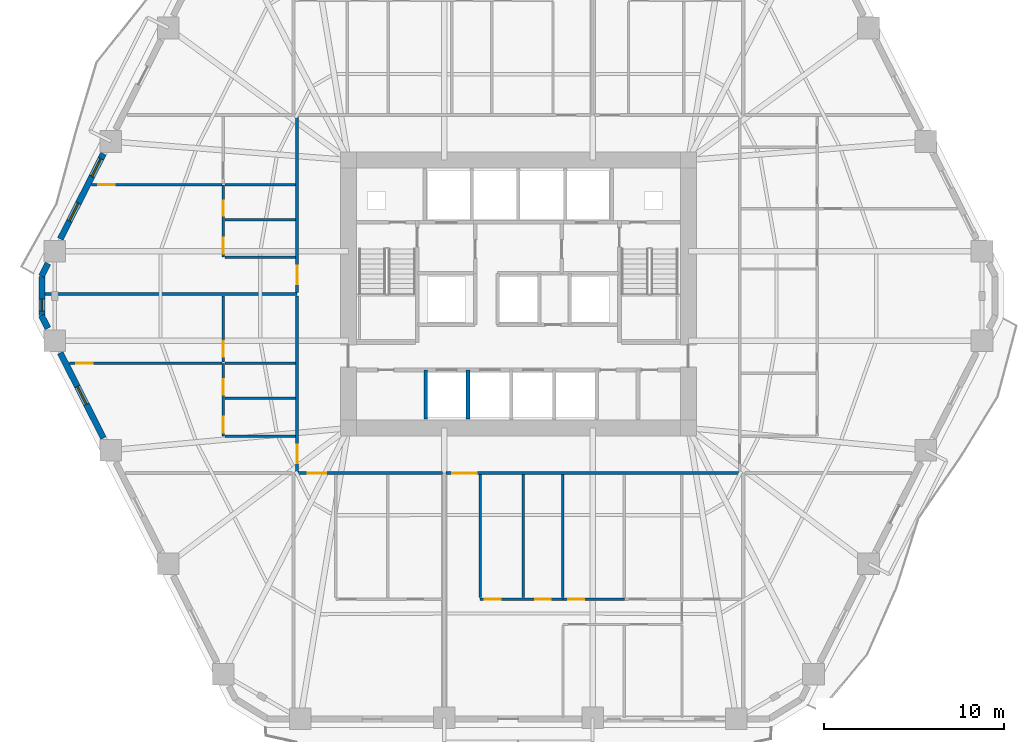
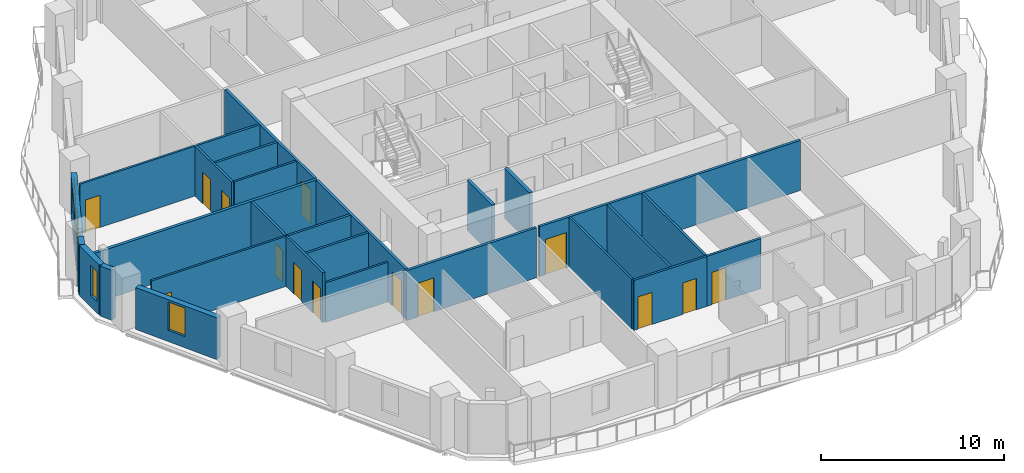
# One storey, part 4 of 12: 28 walls, 14 doors, 4 windows, 18 openings.
"""IFC4 building model written with IfcOpenShell, lengths in metres."""

import ifcopenshell
import ifcopenshell.guid

model = None  # the IFC model being written
_history = None  # IfcOwnerHistory: only IFC2X3 demands one
_inside = {}  # id of a spatial element -> (the spatial element, [elements in it])
_under = {}  # id of a project, library or spatial element -> (it, [spatial elements below it])
_declared = {}  # id of a project -> (the project, [libraries it declares])
_typed = {}  # id of a type object -> (the type object, [elements of that type])
_made_of = {}  # id of a material, layer set ... -> (it, [elements and type objects made of it])


def new_model(schema):
    """Start an empty IFC model of exactly this schema.

    Asked for "IFC4X3", IfcOpenShell would pick the latest addendum, in which some entities
    have other attributes; the version numbers below select the first issue.
    IFC2X3 requires an IfcOwnerHistory on every rooted entity: one is made here for all.
    """
    global model, _history
    if schema == "IFC4X3":
        model = ifcopenshell.file(schema_version=(4, 3, 0, 0))
    else:
        model = ifcopenshell.file(schema=schema)
    _inside.clear()
    _under.clear()
    _declared.clear()
    _typed.clear()
    _made_of.clear()
    _history = None
    if model.schema == "IFC2X3":
        org = make("IfcOrganization", Name="unknown")
        user = make(
            "IfcPersonAndOrganization",
            ThePerson=make("IfcPerson", FamilyName="unknown"),
            TheOrganization=org,
        )
        app = make(
            "IfcApplication",
            ApplicationDeveloper=org,
            Version="unknown",
            ApplicationFullName="unknown",
            ApplicationIdentifier="unknown",
        )
        _history = make(
            "IfcOwnerHistory",
            OwningUser=user,
            OwningApplication=app,
            ChangeAction="ADDED",
            CreationDate=0,
        )
    return model


def make(cls, **values):
    """One entity of the class cls with the attributes given. An attribute that is None is left unset."""
    return model.create_entity(
        cls, **{name: value for name, value in values.items() if value is not None}
    )


def rooted(cls, **values):
    """An entity with a GlobalId (a new one), such as an element, a storey or a relation."""
    return make(cls, GlobalId=ifcopenshell.guid.new(), OwnerHistory=_history, **values)


def si_unit(unit_type, name, prefix=None):
    """IfcSIUnit, for example si_unit("LENGTHUNIT", "METRE", prefix="MILLI")."""
    return make("IfcSIUnit", UnitType=unit_type, Prefix=prefix, Name=name)


def assignment(units):
    """IfcUnitAssignment: the units of a project."""
    return None if units is None else make("IfcUnitAssignment", Units=units)


def point(xyz):
    """IfcCartesianPoint."""
    return None if xyz is None else make("IfcCartesianPoint", Coordinates=xyz)


def direction(xyz):
    """IfcDirection."""
    return None if xyz is None else make("IfcDirection", DirectionRatios=xyz)


def frame(location, z_axis=None, x_axis=None):
    """IfcAxis2Placement3D, a coordinate frame: its origin and axes. An axis left out is left unset."""
    return make(
        "IfcAxis2Placement3D",
        Location=point(location),
        Axis=direction(z_axis),
        RefDirection=direction(x_axis),
    )


def frame_2d(location, x_axis=None):
    """IfcAxis2Placement2D, a coordinate frame in the plane: its origin and x axis."""
    return make(
        "IfcAxis2Placement2D", Location=point(location), RefDirection=direction(x_axis)
    )


def origin():
    """The frame at (0, 0, 0) with its axes left unset."""
    return frame((0.0, 0.0, 0.0))


def place(relative_to, where):
    """IfcLocalPlacement: puts the frame where relative to a parent placement (None: the world)."""
    return make(
        "IfcLocalPlacement", PlacementRelTo=relative_to, RelativePlacement=where
    )


def context(
    kind, dimensions, precision=None, world=None, true_north=None, identifier=None
):
    """IfcGeometricRepresentationContext, for example the 3D "Model" context."""
    return make(
        "IfcGeometricRepresentationContext",
        ContextIdentifier=identifier,
        ContextType=kind,
        CoordinateSpaceDimension=dimensions,
        Precision=precision,
        WorldCoordinateSystem=world,
        TrueNorth=true_north,
    )


def subcontext(parent, identifier, kind, view, scale=None):
    """IfcGeometricRepresentationSubContext, for example "Body" below "Model"."""
    return make(
        "IfcGeometricRepresentationSubContext",
        ContextIdentifier=identifier,
        ContextType=kind,
        ParentContext=parent,
        TargetScale=scale,
        TargetView=view,
    )


def project(units=None, contexts=None):
    """IfcProject with its units and contexts."""
    return rooted(
        "IfcProject",
        Name="project",
        RepresentationContexts=contexts,
        UnitsInContext=assignment(units),
    )


def spatial(cls, under=None, at=None, **own):
    """A site, building, storey or space (cls), placed at a placement, below another one or the project."""
    s = rooted(cls, ObjectPlacement=at, **own)
    if under is not None:
        _under.setdefault(under.id(), (under, []))[1].append(s)
    return s


def profile(cls, at=None, kind="AREA", **sizes):
    """A parametric profile (cls). Its sizes go by their IFC names, for example OverallWidth=200.0."""
    return make(cls, ProfileType=kind, Position=at, **sizes)


def rectangle(**sizes):
    """IfcRectangleProfileDef."""
    return profile("IfcRectangleProfileDef", **sizes)


def extrude(swept, where, along, depth):
    """IfcExtrudedAreaSolid: the profile swept, set in the frame where, extruded along a direction by depth."""
    return make(
        "IfcExtrudedAreaSolid",
        SweptArea=swept,
        Position=where,
        ExtrudedDirection=direction(along),
        Depth=depth,
    )


def shape(context_of_items, identifier, shape_type, items):
    """IfcShapeRepresentation: the items that make up one representation, for example the "Body"."""
    return make(
        "IfcShapeRepresentation",
        ContextOfItems=context_of_items,
        RepresentationIdentifier=identifier,
        RepresentationType=shape_type,
        Items=items,
    )


def material(Name=None, Category=None):
    """IfcMaterial."""
    return make("IfcMaterial", Name=Name, Category=Category)


def layer(
    of_material, thickness, ventilated=None, Name=None, Category=None, Priority=None
):
    """IfcMaterialLayer: one layer of a wall or slab, of a material (None: an air gap)."""
    return make(
        "IfcMaterialLayer",
        Material=of_material,
        LayerThickness=thickness,
        IsVentilated=ventilated,
        Name=Name,
        Category=Category,
        Priority=Priority,
    )


def layer_set(layers, Name=None):
    """IfcMaterialLayerSet."""
    return make("IfcMaterialLayerSet", MaterialLayers=layers, LayerSetName=Name)


def made_of(thing, what):
    """Note that an element or type object is made of a material, layer set ...; save() writes the relation."""
    if what is not None:
        _made_of.setdefault(what.id(), (what, []))[1].append(thing)
    return thing


def type_object(cls, material=None, **own):
    """A type object (cls), such as IfcWallType, which elements share."""
    return made_of(rooted(cls, **own), material)


def element(
    cls,
    number,
    at=None,
    inside=None,
    cuts=None,
    type_object=None,
    material=None,
    context=None,
    identifier="Body",
    shape_type=None,
    held_by="IfcProductDefinitionShape",
    body=None,
    shapes=None,
    **own,
):
    """One element of the class cls, such as IfcWall. Its Tag is "e" and its number.

    at: its placement. inside: the storey or other place that contains it. cuts: it is an
    opening in that element (IfcRelVoidsElement). A single representation is given by context,
    identifier, shape_type and body (its items); several are given by shapes. held_by: the class
    of the entity that holds the representations. save() writes the other relations.
    """
    e = rooted(cls, Tag="e%d" % number, ObjectPlacement=at, **own)
    if body is not None:
        shapes = [shape(context, identifier, shape_type, body)]
    if shapes is not None:
        e.Representation = make(held_by, Representations=shapes)
    if inside is not None:
        _inside.setdefault(inside.id(), (inside, []))[1].append(e)
    if cuts is not None:
        rooted(
            "IfcRelVoidsElement", RelatingBuildingElement=cuts, RelatedOpeningElement=e
        )
    if type_object is not None:
        _typed.setdefault(type_object.id(), (type_object, []))[1].append(e)
    return made_of(e, material)


def fill(opening, filler):
    """IfcRelFillsElement: the door or window that sits in an opening."""
    return rooted(
        "IfcRelFillsElement",
        RelatingOpeningElement=opening,
        RelatedBuildingElement=filler,
    )


def aggregate(whole, parts):
    """IfcRelAggregates: a whole, such as a stair, and the parts it consists of."""
    return rooted("IfcRelAggregates", RelatingObject=whole, RelatedObjects=parts)


def save(model, path):
    """Write the relations noted so far, then the file.

    IfcRelAggregates (storeys below a building ...), IfcRelContainedInSpatialStructure (elements
    in a storey), IfcRelDefinesByType, IfcRelAssociatesMaterial and IfcRelDeclares: one each for
    every whole, place, type object, material and project.
    """
    for whole, parts in _under.values():
        aggregate(whole, parts)
    for where, things in _inside.values():
        rooted(
            "IfcRelContainedInSpatialStructure",
            RelatedElements=things,
            RelatingStructure=where,
        )
    for kind, things in _typed.values():
        rooted("IfcRelDefinesByType", RelatedObjects=things, RelatingType=kind)
    for what, things in _made_of.values():
        rooted("IfcRelAssociatesMaterial", RelatedObjects=things, RelatingMaterial=what)
    for by, libraries in _declared.values():
        rooted("IfcRelDeclares", RelatingContext=by, RelatedDefinitions=libraries)
    model.write(path)


model = new_model("IFC4")

# Units and contexts
model_context = context("Model", 3, precision=1e-05, world=origin(), true_north=direction((0.0, 1.0)))
body_context = subcontext(model_context, "Body", "Model", "MODEL_VIEW")
ifc_project = project(units=[si_unit("LENGTHUNIT", "METRE"), si_unit("AREAUNIT", "SQUARE_METRE"), si_unit("VOLUMEUNIT", "CUBIC_METRE"), si_unit("PLANEANGLEUNIT", "RADIAN"), si_unit("MASSUNIT", "GRAM", prefix="KILO")], contexts=[model_context])

# Site, building, storey
site_placement = place(None, origin())
site = spatial("IfcSite", under=ifc_project, at=site_placement, CompositionType="ELEMENT")
building_placement = place(site_placement, origin())
building = spatial("IfcBuilding", under=site, at=building_placement, Name="Cinnabar Lancet Tower", CompositionType="ELEMENT")
storey_placement = place(building_placement, frame((0.0, 0.0, 32.0)))
storey = spatial("IfcBuildingStorey", under=building, at=storey_placement, Name="L07", CompositionType="ELEMENT", Elevation=32.0)

# Wall, opening, door
ifc_material_1 = material(Name="Acoustic twin-stud gypsum partition", Category="gypsum")
ifc_layer_1 = layer(ifc_material_1, 0.159912109375)
ifc_layer_set_1 = layer_set([ifc_layer_1], Name="Acoustic twin-stud gypsum partition")
wall_type_1 = type_object("IfcWallType", Name="ARC-WL-CORR-160", PredefinedType="PARTITIONING", material=ifc_layer_set_1)
wall_1_placement = place(storey_placement, frame((19.9951171875, 15.949951171875, 0.0), z_axis=(0.0, 0.0, 1.0), x_axis=(1.0, 0.0, 0.0)))
wall_1 = element("IfcWall", 1, at=wall_1_placement, inside=storey, type_object=wall_type_1, Name="L07 Unit S01 Corridor Wall", PredefinedType="PARTITIONING", context=body_context, shape_type="SweptSolid", body=[
    extrude(rectangle(XDim=8.18798828125, YDim=0.159912109375, at=frame_2d((4.093994140625, 0.0))), origin(), (0.0, 0.0, 1.0), 3.330078125),
])
opening_1_placement = place(wall_1_placement, frame((0.705078125, 0.0, 0.0)))
opening_1 = element("IfcOpeningElement", 2, at=opening_1_placement, cuts=wall_1, Name="Opening UD-01", PredefinedType="OPENING", context=body_context, shape_type="SweptSolid", body=[
    extrude(rectangle(XDim=1.02001953125, YDim=2.25, at=frame_2d((0.510009765625, 1.125))), frame((0.0, 0.08984375, 0.0), z_axis=(0.0, -1.0, 0.0), x_axis=(1.0, 0.0, 0.0)), (0.0, 0.0, 1.0), 0.179931640625),
])
ifc_material_2 = material(Name="Solid timber fire-rated apartment entrance door", Category="wood")
door_type_1 = type_object("IfcDoorType", Name="ARC-DR-UNIT", OperationType="NOTDEFINED", PredefinedType="DOOR", material=ifc_material_2)
door_1_placement = place(opening_1_placement, origin())
door_1 = element("IfcDoor", 3, at=door_1_placement, inside=storey, type_object=door_type_1, Name="DR-L07-S01-ENT", OperationType="SINGLE_SWING_RIGHT", OverallHeight=2.25, OverallWidth=1.02001953125, PredefinedType="DOOR", context=body_context, shape_type="SweptSolid", body=[
    extrude(rectangle(XDim=1.02001953125, YDim=2.25, at=frame_2d((0.510009765625, 1.125))), frame((0.0, 0.02490234375, 0.0), z_axis=(0.0, -1.0, 0.0), x_axis=(1.0, 0.0, 0.0)), (0.0, 0.0, 1.0), 0.050048828125),
])
fill(opening_1, door_1)

wall_2_placement = place(storey_placement, frame((28.373046875, 15.949951171875, 0.0), z_axis=(0.0, 0.0, 1.0), x_axis=(1.0, 0.0, 0.0)))
wall_2 = element("IfcWall", 4, at=wall_2_placement, inside=storey, type_object=wall_type_1, Name="L07 Unit S02 Corridor Wall", PredefinedType="PARTITIONING", context=body_context, shape_type="SweptSolid", body=[
    extrude(rectangle(XDim=16.431884765625, YDim=0.159912109375, at=frame_2d((8.2158203125, 0.0))), origin(), (0.0, 0.0, 1.0), 3.330078125),
])
opening_2_placement = place(wall_2_placement, frame((0.35498046875, 0.0, 0.0)))
opening_2 = element("IfcOpeningElement", 5, at=opening_2_placement, cuts=wall_2, Name="Opening UD-02", PredefinedType="OPENING", context=body_context, shape_type="SweptSolid", body=[
    extrude(rectangle(XDim=1.35009765625, YDim=2.35009765625, at=frame_2d((0.675048828125, 1.175048828125))), frame((0.0, 0.08984375, 0.0), z_axis=(0.0, -1.0, 0.0), x_axis=(1.0, 0.0, 0.0)), (0.0, 0.0, 1.0), 0.179931640625),
])
ifc_material_3 = material(Name="Double-leaf solid timber penthouse entrance door", Category="wood")
door_type_2 = type_object("IfcDoorType", Name="ARC-DR-UNIT-PH", OperationType="NOTDEFINED", PredefinedType="DOOR", material=ifc_material_3)
door_2_placement = place(opening_2_placement, origin())
door_2 = element("IfcDoor", 6, at=door_2_placement, inside=storey, type_object=door_type_2, Name="DR-L07-S02-ENT", OperationType="SINGLE_SWING_LEFT", OverallHeight=2.35009765625, OverallWidth=1.35009765625, PredefinedType="DOOR", context=body_context, shape_type="SweptSolid", body=[
    extrude(rectangle(XDim=1.35009765625, YDim=2.35009765625, at=frame_2d((0.675048828125, 1.175048828125))), frame((0.0, 0.02490234375, 0.0), z_axis=(0.0, -1.0, 0.0), x_axis=(1.0, 0.0, 0.0)), (0.0, 0.0, 1.0), 0.050048828125),
])
fill(opening_2, door_2)

wall_3_placement = place(storey_placement, frame((20.10009765625, 16.044921875, 0.0), z_axis=(0.0, 0.0, 1.0), x_axis=(0.0, 1.0, 0.0)))
wall_3 = element("IfcWall", 7, at=wall_3_placement, inside=storey, type_object=wall_type_1, Name="UW-L07-W01-COR", PredefinedType="PARTITIONING", context=body_context, shape_type="SweptSolid", body=[
    extrude(rectangle(XDim=9.760009765625, YDim=0.159912109375, at=frame_2d((4.8798828125, 0.0))), origin(), (0.0, 0.0, 1.0), 3.330078125),
])
opening_3_placement = place(wall_3_placement, frame((0.449951171875, 0.0, 0.0)))
opening_3 = element("IfcOpeningElement", 8, at=opening_3_placement, cuts=wall_3, Name="Opening UD-01", PredefinedType="OPENING", context=body_context, shape_type="SweptSolid", body=[
    extrude(rectangle(XDim=1.02001953125, YDim=2.25, at=frame_2d((0.510009765625, 1.125))), frame((0.0, 0.08984375, 0.0), z_axis=(0.0, -1.0, 0.0), x_axis=(1.0, 0.0, 0.0)), (0.0, 0.0, 1.0), 0.179931640625),
])
door_3_placement = place(opening_3_placement, origin())
door_3 = element("IfcDoor", 9, at=door_3_placement, inside=storey, type_object=door_type_1, Name="DR-L07-W01-ENT", OperationType="SINGLE_SWING_RIGHT", OverallHeight=2.25, OverallWidth=1.02001953125, PredefinedType="DOOR", context=body_context, shape_type="SweptSolid", body=[
    extrude(rectangle(XDim=1.02001953125, YDim=2.25, at=frame_2d((0.510009765625, 1.125))), frame((0.0, 0.02490234375, 0.0), z_axis=(0.0, -1.0, 0.0), x_axis=(1.0, 0.0, 0.0)), (0.0, 0.0, 1.0), 0.050048828125),
])
fill(opening_3, door_3)

wall_4_placement = place(storey_placement, frame((20.10009765625, 25.9951171875, 0.0), z_axis=(0.0, 0.0, 1.0), x_axis=(0.0, 1.0, 0.0)))
wall_4 = element("IfcWall", 10, at=wall_4_placement, inside=storey, type_object=wall_type_1, Name="UW-L07-W02-COR", PredefinedType="PARTITIONING", context=body_context, shape_type="SweptSolid", body=[
    extrude(rectangle(XDim=9.759765625, YDim=0.159912109375, at=frame_2d((4.8798828125, 0.0))), origin(), (0.0, 0.0, 1.0), 3.330078125),
])
opening_4_placement = place(wall_4_placement, frame((0.449951171875, 0.0, 0.0)))
opening_4 = element("IfcOpeningElement", 11, at=opening_4_placement, cuts=wall_4, Name="Opening UD-01", PredefinedType="OPENING", context=body_context, shape_type="SweptSolid", body=[
    extrude(rectangle(XDim=1.02001953125, YDim=2.25, at=frame_2d((0.510009765625, 1.125))), frame((0.0, 0.08984375, 0.0), z_axis=(0.0, -1.0, 0.0), x_axis=(1.0, 0.0, 0.0)), (0.0, 0.0, 1.0), 0.179931640625),
])
door_4_placement = place(opening_4_placement, origin())
door_4 = element("IfcDoor", 12, at=door_4_placement, inside=storey, type_object=door_type_1, Name="DR-L07-W02-ENT", OperationType="SINGLE_SWING_LEFT", OverallHeight=2.25, OverallWidth=1.02001953125, PredefinedType="DOOR", context=body_context, shape_type="SweptSolid", body=[
    extrude(rectangle(XDim=1.02001953125, YDim=2.25, at=frame_2d((0.510009765625, 1.125))), frame((0.0, 0.02490234375, 0.0), z_axis=(0.0, -1.0, 0.0), x_axis=(1.0, 0.0, 0.0)), (0.0, 0.0, 1.0), 0.050048828125),
])
fill(opening_4, door_4)

# Walls
ifc_material_4 = material(Name="Fire-rated twin-frame acoustic drywall", Category="gypsum")
ifc_layer_2 = layer(ifc_material_4, 0.179931640625)
ifc_layer_set_2 = layer_set([ifc_layer_2], Name="Fire-rated twin-frame acoustic drywall")
wall_type_2 = type_object("IfcWallType", Name="ARC-WL-PARTY-180", PredefinedType="PARTITIONING", material=ifc_layer_set_2)
wall_5_placement = place(storey_placement, frame((6.0869140625, 25.89990234375, 0.0), z_axis=(0.0, 0.0, 1.0), x_axis=(1.0, 0.0, 0.0)))
element("IfcWall", 13, at=wall_5_placement, inside=storey, type_object=wall_type_2, Name="PW-L07-WPTY-1", PredefinedType="PARTITIONING", context=body_context, shape_type="SweptSolid", body=[
    extrude(rectangle(XDim=14.01318359375, YDim=0.179931640625, at=frame_2d((7.006591796875, 0.0))), origin(), (0.0, 0.0, 1.0), 3.330078125),
])
ifc_material_5 = material(Name="Autoclaved aerated concrete blockwork", Category="masonry")
ifc_layer_3 = layer(ifc_material_5, 0.199951171875)
ifc_layer_set_3 = layer_set([ifc_layer_3], Name="Autoclaved aerated concrete blockwork")
wall_type_3 = type_object("IfcWallType", Name="ARC-WL-SHAFT-200", PredefinedType="PLUMBINGWALL", material=ifc_layer_set_3)
for number, where, z_axis, x_axis, name in (
    (14, (27.25, 18.949951171875, 0.0), (0.0, 0.0, 1.0), (0.0, 1.0, 0.0), "CW-SB-2725-L07"),
    (15, (29.60009765625, 18.949951171875, 0.0), (0.0, 0.0, 1.0), (0.0, 1.0, 0.0), "CW-SB-2960-L07"),
):
    element("IfcWall", number, at=place(storey_placement, frame(where, z_axis=z_axis, x_axis=x_axis)), inside=storey, type_object=wall_type_3, Name=name, PredefinedType="PLUMBINGWALL", context=body_context, shape_type="SweptSolid", body=[
        extrude(rectangle(XDim=2.72998046875, YDim=0.199951171875, at=frame_2d((1.364990234375, 0.0))), origin(), (0.0, 0.0, 1.0), 3.330078125),
    ])
ifc_material_6 = material(Name="Gypsum plasterboard stud partition", Category="gypsum")
ifc_layer_4 = layer(ifc_material_6, 0.125)
ifc_layer_set_4 = layer_set([ifc_layer_4], Name="Gypsum plasterboard stud partition")
wall_type_4 = type_object("IfcWallType", Name="ARC-WL-UNIT-125", PredefinedType="PARTITIONING", material=ifc_layer_set_4)
wall_6_placement = place(storey_placement, frame((30.278076171875, 9.0380859375, 0.0), z_axis=(0.0, 0.0, 1.0), x_axis=(0.0, 1.0, 0.0)))
element("IfcWall", 16, at=wall_6_placement, inside=storey, type_object=wall_type_4, Name="UW-L07-S02-FOYE", PredefinedType="PARTITIONING", context=body_context, shape_type="SweptSolid", body=[
    extrude(rectangle(XDim=6.826904296875, YDim=0.125, at=frame_2d((3.41357421875, 0.0))), origin(), (0.0, 0.0, 1.0), 3.330078125),
])
wall_7_placement = place(storey_placement, frame((16.0849609375, 18.0, 0.0), z_axis=(0.0, 0.0, 1.0), x_axis=(1.0, 0.0, 0.0)))
element("IfcWall", 17, at=wall_7_placement, inside=storey, type_object=wall_type_4, Name="UW-L07-W01-FOYN", PredefinedType="PARTITIONING", context=body_context, shape_type="SweptSolid", body=[
    extrude(rectangle(XDim=3.929931640625, YDim=0.125, at=frame_2d((1.96484375, 0.0))), origin(), (0.0, 0.0, 1.0), 2.635986328125),
])

# Wall, opening, door
wall_8_placement = place(storey_placement, frame((7.4619140625, 22.050048828125, 0.0), z_axis=(0.0, 0.0, 1.0), x_axis=(1.0, 0.0, 0.0)))
wall_8 = element("IfcWall", 18, at=wall_8_placement, inside=storey, type_object=wall_type_4, Name="UW-L07-W01-MBN", PredefinedType="PARTITIONING", context=body_context, shape_type="SweptSolid", body=[
    extrude(rectangle(XDim=8.463134765625, YDim=0.125, at=frame_2d((4.2314453125, 0.0))), origin(), (0.0, 0.0, 1.0), 3.330078125),
])
opening_5_placement = place(wall_8_placement, frame((0.35009765625, 0.0, 0.0)))
opening_5 = element("IfcOpeningElement", 19, at=opening_5_placement, cuts=wall_8, Name="Opening RD-01", PredefinedType="OPENING", context=body_context, shape_type="SweptSolid", body=[
    extrude(rectangle(XDim=0.919921875, YDim=2.14990234375, at=frame_2d((0.4599609375, 1.074951171875))), frame((0.0, 0.072509765625, 0.0), z_axis=(0.0, -1.0, 0.0), x_axis=(1.0, 0.0, 0.0)), (0.0, 0.0, 1.0), 0.14501953125),
])
ifc_material_7 = material(Name="Engineered timber bedroom door", Category="wood")
door_type_3 = type_object("IfcDoorType", Name="ARC-DR-ROOM", OperationType="NOTDEFINED", PredefinedType="DOOR", material=ifc_material_7)
door_5_placement = place(opening_5_placement, origin())
door_5 = element("IfcDoor", 20, at=door_5_placement, inside=storey, type_object=door_type_3, Name="DR-L07-W01-MBD", OperationType="SINGLE_SWING_RIGHT", OverallHeight=2.14990234375, OverallWidth=0.919921875, PredefinedType="DOOR", context=body_context, shape_type="SweptSolid", body=[
    extrude(rectangle(XDim=0.919921875, YDim=2.14990234375, at=frame_2d((0.4599609375, 1.074951171875))), frame((0.0, 0.02490234375, 0.0), z_axis=(0.0, -1.0, 0.0), x_axis=(1.0, 0.0, 0.0)), (0.0, 0.0, 1.0), 0.050048828125),
])
fill(opening_5, door_5)

# Wall
wall_9_placement = place(storey_placement, frame((16.0849609375, 27.949951171875, 0.0), z_axis=(0.0, 0.0, 1.0), x_axis=(1.0, 0.0, 0.0)))
element("IfcWall", 21, at=wall_9_placement, inside=storey, type_object=wall_type_4, Name="UW-L07-W02-FOYN", PredefinedType="PARTITIONING", context=body_context, shape_type="SweptSolid", body=[
    extrude(rectangle(XDim=3.929931640625, YDim=0.125, at=frame_2d((1.96484375, 0.0))), origin(), (0.0, 0.0, 1.0), 3.330078125),
])

# Wall, opening, door
wall_10_placement = place(storey_placement, frame((8.68603515625, 31.969970703125, 0.0), z_axis=(0.0, 0.0, 1.0), x_axis=(1.0, 0.0, 0.0)))
wall_10 = element("IfcWall", 22, at=wall_10_placement, inside=storey, type_object=wall_type_4, Name="UW-L07-W02-MBN", PredefinedType="PARTITIONING", context=body_context, shape_type="SweptSolid", body=[
    extrude(rectangle(XDim=7.239013671875, YDim=0.125, at=frame_2d((3.61962890625, 0.0))), origin(), (0.0, 0.0, 1.0), 3.330078125),
])
opening_6_placement = place(wall_10_placement, frame((0.35009765625, 0.0, 0.0)))
opening_6 = element("IfcOpeningElement", 23, at=opening_6_placement, cuts=wall_10, Name="Opening RD-01", PredefinedType="OPENING", context=body_context, shape_type="SweptSolid", body=[
    extrude(rectangle(XDim=0.919921875, YDim=2.14990234375, at=frame_2d((0.4599609375, 1.074951171875))), frame((0.0, 0.072509765625, 0.0), z_axis=(0.0, -1.0, 0.0), x_axis=(1.0, 0.0, 0.0)), (0.0, 0.0, 1.0), 0.14501953125),
])
door_6_placement = place(opening_6_placement, origin())
door_6 = element("IfcDoor", 24, at=door_6_placement, inside=storey, type_object=door_type_3, Name="DR-L07-W02-MBD", OperationType="SINGLE_SWING_LEFT", OverallHeight=2.14990234375, OverallWidth=0.919921875, PredefinedType="DOOR", context=body_context, shape_type="SweptSolid", body=[
    extrude(rectangle(XDim=0.919921875, YDim=2.14990234375, at=frame_2d((0.4599609375, 1.074951171875))), frame((0.0, 0.02490234375, 0.0), z_axis=(0.0, -1.0, 0.0), x_axis=(1.0, 0.0, 0.0)), (0.0, 0.0, 1.0), 0.050048828125),
])
fill(opening_6, door_6)

# Wall, openings, doors
ifc_material_8 = material(Name="Moisture-resistant cement-board plumbing wall", Category="masonry")
ifc_layer_5 = layer(ifc_material_8, 0.139892578125)
ifc_layer_set_5 = layer_set([ifc_layer_5], Name="Moisture-resistant cement-board plumbing wall")
wall_type_5 = type_object("IfcWallType", Name="ARC-WL-WET-140", PredefinedType="PLUMBINGWALL", material=ifc_layer_set_5)
wall_11_placement = place(storey_placement, frame((30.278076171875, 8.93310546875, 0.0), z_axis=(0.0, 0.0, 1.0), x_axis=(1.0, 0.0, 0.0)))
wall_11 = element("IfcWall", 25, at=wall_11_placement, inside=storey, type_object=wall_type_5, Name="UW-L07-S02-SPL", PredefinedType="PLUMBINGWALL", context=body_context, shape_type="SweptSolid", body=[
    extrude(rectangle(XDim=4.599853515625, YDim=0.139892578125, at=frame_2d((2.2998046875, 0.0))), origin(), (0.0, 0.0, 1.0), 3.330078125),
])
opening_7_placement = place(wall_11_placement, frame((3.071044921875, 0.0, 0.0)))
opening_7 = element("IfcOpeningElement", 26, at=opening_7_placement, cuts=wall_11, Name="Opening BD-01", PredefinedType="OPENING", context=body_context, shape_type="SweptSolid", body=[
    extrude(rectangle(XDim=0.860107421875, YDim=2.10009765625, at=frame_2d((0.43017578125, 1.050048828125))), frame((0.0, 0.079833984375, 0.0), z_axis=(0.0, -1.0, 0.0), x_axis=(1.0, 0.0, 0.0)), (0.0, 0.0, 1.0), 0.159912109375),
])
opening_8_placement = place(wall_11_placement, frame((0.260009765625, 0.0, 0.0)))
opening_8 = element("IfcOpeningElement", 27, at=opening_8_placement, cuts=wall_11, Name="Opening RD-02", PredefinedType="OPENING", context=body_context, shape_type="SweptSolid", body=[
    extrude(rectangle(XDim=0.8798828125, YDim=2.14990234375, at=frame_2d((0.43994140625, 1.074951171875))), frame((0.0, 0.079833984375, 0.0), z_axis=(0.0, -1.0, 0.0), x_axis=(1.0, 0.0, 0.0)), (0.0, 0.0, 1.0), 0.159912109375),
])
ifc_material_9 = material(Name="Moisture-resistant timber bathroom door", Category="wood")
door_type_4 = type_object("IfcDoorType", Name="ARC-DR-BATH", OperationType="NOTDEFINED", PredefinedType="DOOR", material=ifc_material_9)
door_7_placement = place(opening_7_placement, origin())
door_7 = element("IfcDoor", 28, at=door_7_placement, inside=storey, type_object=door_type_4, Name="DR-L07-S02-BTH", OperationType="SINGLE_SWING_LEFT", OverallHeight=2.10009765625, OverallWidth=0.860107421875, PredefinedType="DOOR", context=body_context, shape_type="SweptSolid", body=[
    extrude(rectangle(XDim=0.860107421875, YDim=2.10009765625, at=frame_2d((0.43017578125, 1.050048828125))), frame((0.0, 0.02490234375, 0.0), z_axis=(0.0, -1.0, 0.0), x_axis=(1.0, 0.0, 0.0)), (0.0, 0.0, 1.0), 0.050048828125),
])
fill(opening_7, door_7)
ifc_material_10 = material(Name="Engineered timber study door", Category="wood")
door_type_5 = type_object("IfcDoorType", Name="ARC-DR-STUDY", OperationType="NOTDEFINED", PredefinedType="DOOR", material=ifc_material_10)
door_8_placement = place(opening_8_placement, origin())
door_8 = element("IfcDoor", 29, at=door_8_placement, inside=storey, type_object=door_type_5, Name="DR-L07-S02-KIT", OperationType="SINGLE_SWING_RIGHT", OverallHeight=2.14990234375, OverallWidth=0.8798828125, PredefinedType="DOOR", context=body_context, shape_type="SweptSolid", body=[
    extrude(rectangle(XDim=0.8798828125, YDim=2.14990234375, at=frame_2d((0.43994140625, 1.074951171875))), frame((0.0, 0.02490234375, 0.0), z_axis=(0.0, -1.0, 0.0), x_axis=(1.0, 0.0, 0.0)), (0.0, 0.0, 1.0), 0.050048828125),
])
fill(opening_8, door_8)

# Wall, opening, door
wall_12_placement = place(storey_placement, frame((34.8779296875, 8.93310546875, 0.0), z_axis=(0.0, 0.0, 1.0), x_axis=(1.0, 0.0, 0.0)))
wall_12 = element("IfcWall", 30, at=wall_12_placement, inside=storey, type_object=wall_type_5, Name="UW-L07-S02-SPM", PredefinedType="PLUMBINGWALL", context=body_context, shape_type="SweptSolid", body=[
    extrude(rectangle(XDim=3.406982421875, YDim=0.139892578125, at=frame_2d((1.70361328125, 0.0))), origin(), (0.0, 0.0, 1.0), 3.330078125),
])
opening_9_placement = place(wall_12_placement, frame((0.300048828125, 0.0, 0.0)))
opening_9 = element("IfcOpeningElement", 31, at=opening_9_placement, cuts=wall_12, Name="Opening RD-02", PredefinedType="OPENING", context=body_context, shape_type="SweptSolid", body=[
    extrude(rectangle(XDim=0.8798828125, YDim=2.14990234375, at=frame_2d((0.43994140625, 1.074951171875))), frame((0.0, 0.079833984375, 0.0), z_axis=(0.0, -1.0, 0.0), x_axis=(1.0, 0.0, 0.0)), (0.0, 0.0, 1.0), 0.159912109375),
])
door_9_placement = place(opening_9_placement, origin())
door_9 = element("IfcDoor", 32, at=door_9_placement, inside=storey, type_object=door_type_5, Name="DR-L07-S02-UTL", OperationType="SINGLE_SWING_LEFT", OverallHeight=2.14990234375, OverallWidth=0.8798828125, PredefinedType="DOOR", context=body_context, shape_type="SweptSolid", body=[
    extrude(rectangle(XDim=0.8798828125, YDim=2.14990234375, at=frame_2d((0.43994140625, 1.074951171875))), frame((0.0, 0.02490234375, 0.0), z_axis=(0.0, -1.0, 0.0), x_axis=(1.0, 0.0, 0.0)), (0.0, 0.0, 1.0), 0.050048828125),
])
fill(opening_9, door_9)

# Walls
for number, where, z_axis, x_axis, name in (
    (33, (32.669921875, 9.0380859375, 0.0), (0.0, 0.0, 1.0), (0.0, 1.0, 0.0), "UW-L07-S02-KDV"),
    (34, (34.8779296875, 9.0380859375, 0.0), (0.0, 0.0, 1.0), (0.0, 1.0, 0.0), "UW-L07-S02-ENSW"),
):
    element("IfcWall", number, at=place(storey_placement, frame(where, z_axis=z_axis, x_axis=x_axis)), inside=storey, type_object=wall_type_5, Name=name, PredefinedType="PLUMBINGWALL", context=body_context, shape_type="SweptSolid", body=[
        extrude(rectangle(XDim=6.826904296875, YDim=0.139892578125, at=frame_2d((3.41357421875, 0.0))), origin(), (0.0, 0.0, 1.0), 3.330078125),
    ])

# Wall, openings, doors
wall_13_placement = place(storey_placement, frame((16.0, 18.0, 0.0), z_axis=(0.0, 0.0, 1.0), x_axis=(0.0, 1.0, 0.0)))
wall_13 = element("IfcWall", 35, at=wall_13_placement, inside=storey, type_object=wall_type_5, Name="UW-L07-W01-SPL", PredefinedType="PLUMBINGWALL", context=body_context, shape_type="SweptSolid", body=[
    extrude(rectangle(XDim=4.050048828125, YDim=0.139892578125, at=frame_2d((2.02490234375, 0.0))), origin(), (0.0, 0.0, 1.0), 3.330078125),
])
opening_10_placement = place(wall_13_placement, frame((0.199951171875, 0.0, 0.0)))
opening_10 = element("IfcOpeningElement", 36, at=opening_10_placement, cuts=wall_13, Name="Opening RD-02", PredefinedType="OPENING", context=body_context, shape_type="SweptSolid", body=[
    extrude(rectangle(XDim=0.8798828125, YDim=2.14990234375, at=frame_2d((0.43994140625, 1.074951171875))), frame((0.0, 0.079833984375, 0.0), z_axis=(0.0, -1.0, 0.0), x_axis=(1.0, 0.0, 0.0)), (0.0, 0.0, 1.0), 0.159912109375),
])
opening_11_placement = place(wall_13_placement, frame((2.305908203125, 0.0, 0.0)))
opening_11 = element("IfcOpeningElement", 37, at=opening_11_placement, cuts=wall_13, Name="Opening BD-01", PredefinedType="OPENING", context=body_context, shape_type="SweptSolid", body=[
    extrude(rectangle(XDim=0.860107421875, YDim=2.10009765625, at=frame_2d((0.43017578125, 1.050048828125))), frame((0.0, 0.079833984375, 0.0), z_axis=(0.0, -1.0, 0.0), x_axis=(1.0, 0.0, 0.0)), (0.0, 0.0, 1.0), 0.159912109375),
])
door_10_placement = place(opening_11_placement, origin())
door_10 = element("IfcDoor", 38, at=door_10_placement, inside=storey, type_object=door_type_4, Name="DR-L07-W01-BTH", OperationType="SINGLE_SWING_RIGHT", OverallHeight=2.10009765625, OverallWidth=0.860107421875, PredefinedType="DOOR", context=body_context, shape_type="SweptSolid", body=[
    extrude(rectangle(XDim=0.860107421875, YDim=2.10009765625, at=frame_2d((0.43017578125, 1.050048828125))), frame((0.0, 0.02490234375, 0.0), z_axis=(0.0, -1.0, 0.0), x_axis=(1.0, 0.0, 0.0)), (0.0, 0.0, 1.0), 0.050048828125),
])
fill(opening_11, door_10)
door_11_placement = place(opening_10_placement, origin())
door_11 = element("IfcDoor", 39, at=door_11_placement, inside=storey, type_object=door_type_5, Name="DR-L07-W01-KIT", OperationType="SINGLE_SWING_LEFT", OverallHeight=2.14990234375, OverallWidth=0.8798828125, PredefinedType="DOOR", context=body_context, shape_type="SweptSolid", body=[
    extrude(rectangle(XDim=0.8798828125, YDim=2.14990234375, at=frame_2d((0.43994140625, 1.074951171875))), frame((0.0, 0.02490234375, 0.0), z_axis=(0.0, -1.0, 0.0), x_axis=(1.0, 0.0, 0.0)), (0.0, 0.0, 1.0), 0.050048828125),
])
fill(opening_10, door_11)

# Wall, opening, door
wall_14_placement = place(storey_placement, frame((16.0, 22.1201171875, 0.0), z_axis=(0.0, 0.0, 1.0), x_axis=(0.0, 1.0, 0.0)))
wall_14 = element("IfcWall", 40, at=wall_14_placement, inside=storey, type_object=wall_type_5, Name="UW-L07-W01-SPM", PredefinedType="PLUMBINGWALL", context=body_context, shape_type="SweptSolid", body=[
    extrude(rectangle(XDim=3.684814453125, YDim=0.139892578125, at=frame_2d((1.84228515625, 0.0))), origin(), (0.0, 0.0, 1.0), 3.330078125),
])
opening_12_placement = place(wall_14_placement, frame((0.300048828125, 0.0, 0.0)))
opening_12 = element("IfcOpeningElement", 41, at=opening_12_placement, cuts=wall_14, Name="Opening BD-01", PredefinedType="OPENING", context=body_context, shape_type="SweptSolid", body=[
    extrude(rectangle(XDim=0.860107421875, YDim=2.10009765625, at=frame_2d((0.43017578125, 1.050048828125))), frame((0.0, 0.079833984375, 0.0), z_axis=(0.0, -1.0, 0.0), x_axis=(1.0, 0.0, 0.0)), (0.0, 0.0, 1.0), 0.159912109375),
])
door_12_placement = place(opening_12_placement, origin())
door_12 = element("IfcDoor", 42, at=door_12_placement, inside=storey, type_object=door_type_4, Name="DR-L07-W01-ENS", OperationType="SINGLE_SWING_RIGHT", OverallHeight=2.10009765625, OverallWidth=0.860107421875, PredefinedType="DOOR", context=body_context, shape_type="SweptSolid", body=[
    extrude(rectangle(XDim=0.860107421875, YDim=2.10009765625, at=frame_2d((0.43017578125, 1.050048828125))), frame((0.0, 0.02490234375, 0.0), z_axis=(0.0, -1.0, 0.0), x_axis=(1.0, 0.0, 0.0)), (0.0, 0.0, 1.0), 0.050048828125),
])
fill(opening_12, door_12)

# Walls
for number, where, z_axis, x_axis, name in (
    (43, (16.0849609375, 22.050048828125, 0.0), (0.0, 0.0, 1.0), (1.0, 0.0, 0.0), "UW-L07-W01-ENSN"),
    (44, (16.0849609375, 20.10595703125, 0.0), (0.0, 0.0, 1.0), (1.0, 0.0, 0.0), "UW-L07-W01-KDV"),
):
    element("IfcWall", number, at=place(storey_placement, frame(where, z_axis=z_axis, x_axis=x_axis)), inside=storey, type_object=wall_type_5, Name=name, PredefinedType="PLUMBINGWALL", context=body_context, shape_type="SweptSolid", body=[
        extrude(rectangle(XDim=3.929931640625, YDim=0.139892578125, at=frame_2d((1.96484375, 0.0))), origin(), (0.0, 0.0, 1.0), 3.330078125),
    ])

# Wall, openings, doors
wall_15_placement = place(storey_placement, frame((16.0, 27.949951171875, 0.0), z_axis=(0.0, 0.0, 1.0), x_axis=(0.0, 1.0, 0.0)))
wall_15 = element("IfcWall", 45, at=wall_15_placement, inside=storey, type_object=wall_type_5, Name="UW-L07-W02-SPL", PredefinedType="PLUMBINGWALL", context=body_context, shape_type="SweptSolid", body=[
    extrude(rectangle(XDim=4.02001953125, YDim=0.139892578125, at=frame_2d((2.010009765625, 0.0))), origin(), (0.0, 0.0, 1.0), 3.330078125),
])
opening_13_placement = place(wall_15_placement, frame((0.199951171875, 0.0, 0.0)))
opening_13 = element("IfcOpeningElement", 46, at=opening_13_placement, cuts=wall_15, Name="Opening RD-02", PredefinedType="OPENING", context=body_context, shape_type="SweptSolid", body=[
    extrude(rectangle(XDim=0.8798828125, YDim=2.14990234375, at=frame_2d((0.43994140625, 1.074951171875))), frame((0.0, 0.079833984375, 0.0), z_axis=(0.0, -1.0, 0.0), x_axis=(1.0, 0.0, 0.0)), (0.0, 0.0, 1.0), 0.159912109375),
])
opening_14_placement = place(wall_15_placement, frame((2.2900390625, 0.0, 0.0)))
opening_14 = element("IfcOpeningElement", 47, at=opening_14_placement, cuts=wall_15, Name="Opening BD-01", PredefinedType="OPENING", context=body_context, shape_type="SweptSolid", body=[
    extrude(rectangle(XDim=0.860107421875, YDim=2.10009765625, at=frame_2d((0.43017578125, 1.050048828125))), frame((0.0, 0.079833984375, 0.0), z_axis=(0.0, -1.0, 0.0), x_axis=(1.0, 0.0, 0.0)), (0.0, 0.0, 1.0), 0.159912109375),
])
door_13_placement = place(opening_14_placement, origin())
door_13 = element("IfcDoor", 48, at=door_13_placement, inside=storey, type_object=door_type_4, Name="DR-L07-W02-BTH", OperationType="SINGLE_SWING_LEFT", OverallHeight=2.10009765625, OverallWidth=0.860107421875, PredefinedType="DOOR", context=body_context, shape_type="SweptSolid", body=[
    extrude(rectangle(XDim=0.860107421875, YDim=2.10009765625, at=frame_2d((0.43017578125, 1.050048828125))), frame((0.0, 0.02490234375, 0.0), z_axis=(0.0, -1.0, 0.0), x_axis=(1.0, 0.0, 0.0)), (0.0, 0.0, 1.0), 0.050048828125),
])
fill(opening_14, door_13)
door_14_placement = place(opening_13_placement, origin())
door_14 = element("IfcDoor", 49, at=door_14_placement, inside=storey, type_object=door_type_5, Name="DR-L07-W02-KIT", OperationType="SINGLE_SWING_RIGHT", OverallHeight=2.14990234375, OverallWidth=0.8798828125, PredefinedType="DOOR", context=body_context, shape_type="SweptSolid", body=[
    extrude(rectangle(XDim=0.8798828125, YDim=2.14990234375, at=frame_2d((0.43994140625, 1.074951171875))), frame((0.0, 0.02490234375, 0.0), z_axis=(0.0, -1.0, 0.0), x_axis=(1.0, 0.0, 0.0)), (0.0, 0.0, 1.0), 0.050048828125),
])
fill(opening_13, door_14)

# Walls
for number, where, z_axis, x_axis, name in (
    (50, (16.0849609375, 31.969970703125, 0.0), (0.0, 0.0, 1.0), (1.0, 0.0, 0.0), "UW-L07-W02-ENSN"),
    (51, (16.0849609375, 30.0400390625, 0.0), (0.0, 0.0, 1.0), (1.0, 0.0, 0.0), "UW-L07-W02-KDV"),
):
    element("IfcWall", number, at=place(storey_placement, frame(where, z_axis=z_axis, x_axis=x_axis)), inside=storey, type_object=wall_type_5, Name=name, PredefinedType="PLUMBINGWALL", context=body_context, shape_type="SweptSolid", body=[
        extrude(rectangle(XDim=3.929931640625, YDim=0.139892578125, at=frame_2d((1.96484375, 0.0))), origin(), (0.0, 0.0, 1.0), 3.330078125),
    ])

# Wall, opening, window
ifc_material_11 = material(Name="Cinnabar red clay brick", Category="masonry")
ifc_layer_6 = layer(ifc_material_11, 0.340087890625)
ifc_layer_set_6 = layer_set([ifc_layer_6], Name="Cinnabar red clay brick")
wall_type_6 = type_object("IfcWallType", Name="ENV-WL-BRK-RED-340", PredefinedType="STANDARD", material=ifc_layer_set_6)
wall_16_placement = place(storey_placement, frame((5.912109375, 26.885986328125, 0.0), z_axis=(0.0, 0.0, 1.0), x_axis=(0.0, -1.0, 0.0)))
wall_16 = element("IfcWall", 52, at=wall_16_placement, inside=storey, type_object=wall_type_6, Name="L07 Chamfered Corner Brick Pier 6.1", PredefinedType="STANDARD", context=body_context, shape_type="SweptSolid", body=[
    extrude(rectangle(XDim=2.171875, YDim=0.340087890625, at=frame_2d((1.0859375, 0.0))), origin(), (0.0, 0.0, 1.0), 3.330078125),
])
opening_15_placement = place(wall_16_placement, frame((1.24609375, 0.0, 0.75)))
opening_15 = element("IfcOpeningElement", 53, at=opening_15_placement, cuts=wall_16, Name="Opening WN-04", PredefinedType="OPENING", context=body_context, shape_type="SweptSolid", body=[
    extrude(rectangle(XDim=0.68603515625, YDim=2.0, at=frame_2d((0.343017578125, 1.0))), frame((0.0, 0.179931640625, 0.0), z_axis=(0.0, -1.0, 0.0), x_axis=(1.0, 0.0, 0.0)), (0.0, 0.0, 1.0), 0.360107421875),
])
ifc_material_12 = material(Name="Thermally broken bronze-anodized aluminium tall lancet window", Category="aluminium")
window_type = type_object("IfcWindowType", Name="ENV-WN-LANCET-1100", PartitioningType="SINGLE_PANEL", PredefinedType="WINDOW", material=ifc_material_12)
window_1_placement = place(opening_15_placement, origin())
window_1 = element("IfcWindow", 54, at=window_1_placement, inside=storey, type_object=window_type, Name="L07 Dwelling Gothic Lancet Window 299", OverallHeight=2.0, OverallWidth=0.68603515625, PartitioningType="SINGLE_PANEL", PredefinedType="WINDOW", context=body_context, shape_type="SweptSolid", body=[
    extrude(rectangle(XDim=0.68603515625, YDim=2.0, at=frame_2d((0.343017578125, 1.0))), frame((0.0, 0.030029296875, 0.0), z_axis=(0.0, -1.0, 0.0), x_axis=(1.0, 0.0, 0.0)), (0.0, 0.0, 1.0), 0.06005859375),
])
fill(opening_15, window_1)

# Wall, openings, windows
wall_17_placement = place(storey_placement, frame((9.3349609375, 33.698974609375, 0.0), z_axis=(0.0, 0.0, 1.0), x_axis=(-0.451590635984, -0.892225250422, 0.0)))
wall_17 = element("IfcWall", 55, at=wall_17_placement, inside=storey, type_object=wall_type_6, Name="L07 Face 5 Masonry Bay Wall 4", PredefinedType="STANDARD", context=body_context, shape_type="SweptSolid", body=[
    extrude(rectangle(XDim=5.303466796875, YDim=0.340087890625, at=frame_2d((2.65185546875, 0.0))), origin(), (0.0, 0.0, 1.0), 2.787109375),
])
opening_16_placement = place(wall_17_placement, frame((0.30810546875, 0.0, 0.75)))
opening_16 = element("IfcOpeningElement", 56, at=opening_16_placement, cuts=wall_17, Name="Opening WN-04", PredefinedType="OPENING", context=body_context, shape_type="SweptSolid", body=[
    extrude(rectangle(XDim=1.10009765625, YDim=1.886962890625, at=frame_2d((0.550048828125, 0.943359375))), frame((0.0, 0.179931640625, 0.0), z_axis=(0.0, -1.0, 0.0), x_axis=(1.0, 0.0, 0.0)), (0.0, 0.0, 1.0), 0.360107421875),
])
opening_17_placement = place(wall_17_placement, frame((3.080078125, 0.0, 0.75)))
opening_17 = element("IfcOpeningElement", 57, at=opening_17_placement, cuts=wall_17, Name="Opening WN-04", PredefinedType="OPENING", context=body_context, shape_type="SweptSolid", body=[
    extrude(rectangle(XDim=1.10009765625, YDim=1.886962890625, at=frame_2d((0.550048828125, 0.943359375))), frame((0.0, 0.179931640625, 0.0), z_axis=(0.0, -1.0, 0.0), x_axis=(1.0, 0.0, 0.0)), (0.0, 0.0, 1.0), 0.360107421875),
])
window_2_placement = place(opening_16_placement, origin())
window_2 = element("IfcWindow", 58, at=window_2_placement, inside=storey, type_object=window_type, Name="L07 Face 5 Gothic Lancet Window 4", OverallHeight=1.886962890625, OverallWidth=1.10009765625, PartitioningType="SINGLE_PANEL", PredefinedType="WINDOW", context=body_context, shape_type="SweptSolid", body=[
    extrude(rectangle(XDim=1.10009765625, YDim=1.886962890625, at=frame_2d((0.550048828125, 0.943359375))), frame((0.0, 0.030029296875, 0.0), z_axis=(0.0, -1.0, 0.0), x_axis=(1.0, 0.0, 0.0)), (0.0, 0.0, 1.0), 0.06005859375),
])
fill(opening_16, window_2)
window_3_placement = place(opening_17_placement, origin())
window_3 = element("IfcWindow", 59, at=window_3_placement, inside=storey, type_object=window_type, Name="L07 Split-Bay Gothic Lancet Window 11", OverallHeight=1.886962890625, OverallWidth=1.10009765625, PartitioningType="SINGLE_PANEL", PredefinedType="WINDOW", context=body_context, shape_type="SweptSolid", body=[
    extrude(rectangle(XDim=1.10009765625, YDim=1.886962890625, at=frame_2d((0.550048828125, 0.943359375))), frame((0.0, 0.030029296875, 0.0), z_axis=(0.0, -1.0, 0.0), x_axis=(1.0, 0.0, 0.0)), (0.0, 0.0, 1.0), 0.06005859375),
])
fill(opening_17, window_3)

# Walls
for number, where, z_axis, x_axis, name in (
    (60, (6.251953125, 27.60498046875, 0.0), (0.0, 0.0, 1.0), (-0.452101093511, -0.891966704113, 0.0), "L07 Face 5 Masonry Bay Wall 5"),
    (61, (5.89111328125, 24.70703125, 0.0), (0.0, 0.0, 1.0), (0.452101093511, -0.891966704113, 0.0), "L07 Face 6 Masonry Bay Wall 1"),
):
    element("IfcWall", number, at=place(storey_placement, frame(where, z_axis=z_axis, x_axis=x_axis)), inside=storey, type_object=wall_type_6, Name=name, PredefinedType="STANDARD", context=body_context, shape_type="SweptSolid", body=[
        extrude(rectangle(XDim=0.798095703125, YDim=0.340087890625, at=frame_2d((0.39892578125, 0.0))), origin(), (0.0, 0.0, 1.0), 3.330078125),
    ])

# Wall, opening, window
wall_18_placement = place(storey_placement, frame((6.93994140625, 22.633056640625, 0.0), z_axis=(0.0, 0.0, 1.0), x_axis=(0.451572088722, -0.892234637686, 0.0)))
wall_18 = element("IfcWall", 62, at=wall_18_placement, inside=storey, type_object=wall_type_6, Name="L07 Face 6 Masonry Bay Wall 2", PredefinedType="STANDARD", context=body_context, shape_type="SweptSolid", body=[
    extrude(rectangle(XDim=5.3037109375, YDim=0.340087890625, at=frame_2d((2.65185546875, 0.0))), origin(), (0.0, 0.0, 1.0), 2.787109375),
])
opening_18_placement = place(wall_18_placement, frame((2.10205078125, 0.0, 0.75)))
opening_18 = element("IfcOpeningElement", 63, at=opening_18_placement, cuts=wall_18, Name="Opening WN-04", PredefinedType="OPENING", context=body_context, shape_type="SweptSolid", body=[
    extrude(rectangle(XDim=1.10009765625, YDim=1.886962890625, at=frame_2d((0.550048828125, 0.943359375))), frame((0.0, 0.179931640625, 0.0), z_axis=(0.0, -1.0, 0.0), x_axis=(1.0, 0.0, 0.0)), (0.0, 0.0, 1.0), 0.360107421875),
])
window_4_placement = place(opening_18_placement, origin())
window_4 = element("IfcWindow", 64, at=window_4_placement, inside=storey, type_object=window_type, Name="L07 Face 6 Gothic Lancet Window 2", OverallHeight=1.886962890625, OverallWidth=1.10009765625, PartitioningType="SINGLE_PANEL", PredefinedType="WINDOW", context=body_context, shape_type="SweptSolid", body=[
    extrude(rectangle(XDim=1.10009765625, YDim=1.886962890625, at=frame_2d((0.550048828125, 0.943359375))), frame((0.0, 0.030029296875, 0.0), z_axis=(0.0, -1.0, 0.0), x_axis=(1.0, 0.0, 0.0)), (0.0, 0.0, 1.0), 0.06005859375),
])
fill(opening_18, window_4)

save(model, "model.ifc")
